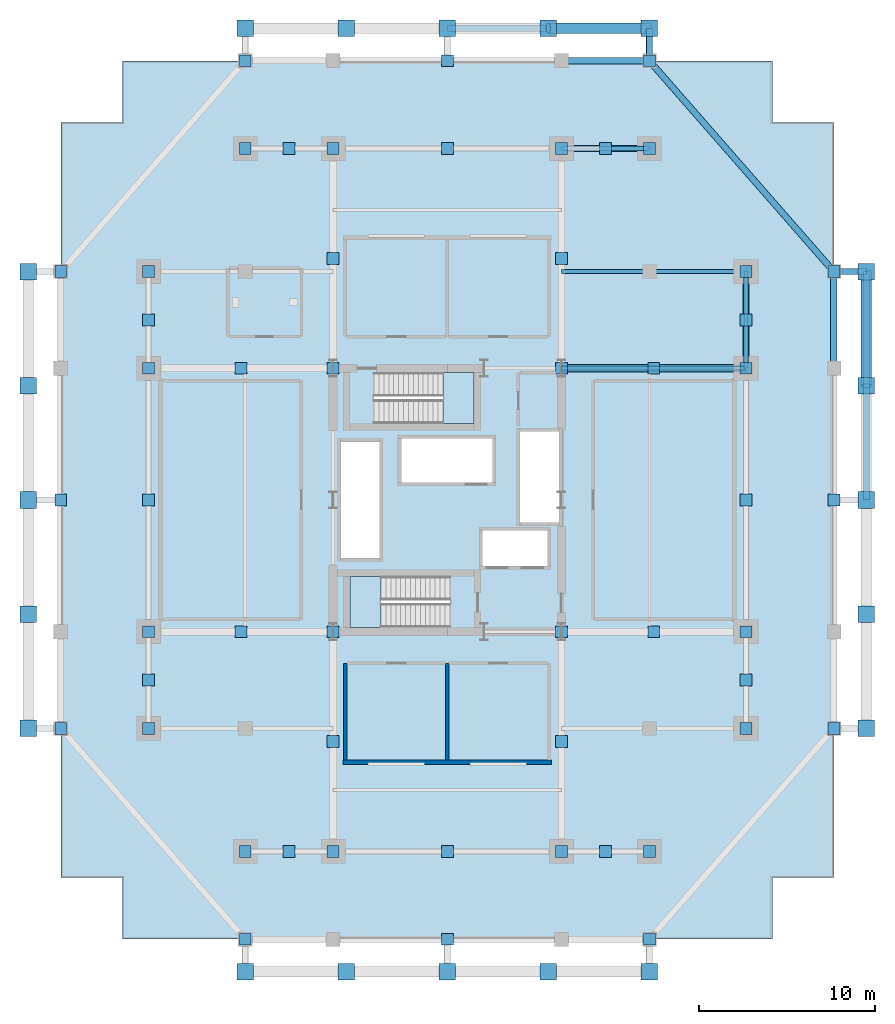
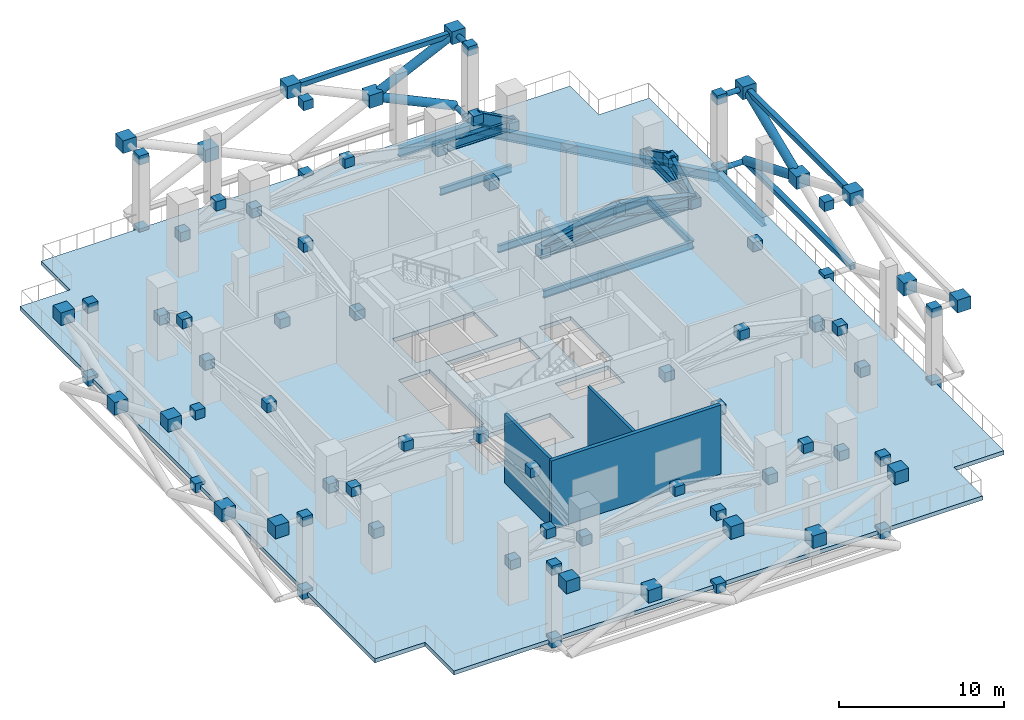
# One storey, part 3 of 9: 84 plates, 19 members, 8 beams, 3 slabs, 3 walls, 2 elements without a shape of their own.
"""IFC4 building model written with IfcOpenShell, lengths in metres."""

from ifc_helpers import new_model, si_unit, direction, frame, frame_2d, origin, origin_2d, place, context, subcontext, project, spatial, polyline, rectangle, hollow_rectangle, hollow_circle, i_section, outline, extrude, material, layer, layer_set, material_profile, profile_set, type_object, element, aggregate, save


model = new_model("IFC4")

# Units and contexts
model_context = context("Model", 3, precision=1e-05, world=origin(), true_north=direction((0.0, 1.0)))
body_context = subcontext(model_context, "Body", "Model", "MODEL_VIEW")
ifc_project = project(units=[si_unit("LENGTHUNIT", "METRE"), si_unit("AREAUNIT", "SQUARE_METRE"), si_unit("VOLUMEUNIT", "CUBIC_METRE"), si_unit("PLANEANGLEUNIT", "RADIAN"), si_unit("MASSUNIT", "GRAM", prefix="KILO")], contexts=[model_context])

# Site, building, storey
site_placement = place(None, origin())
site = spatial("IfcSite", under=ifc_project, at=site_placement, CompositionType="ELEMENT")
building_placement = place(site_placement, origin())
building = spatial("IfcBuilding", under=site, at=building_placement, Name="Barlavira Tower and Art Museum", CompositionType="ELEMENT")
storey_placement = place(building_placement, frame((0.0, 0.0, 93.60009765625)))
storey = spatial("IfcBuildingStorey", under=building, at=storey_placement, Name="L23", CompositionType="ELEMENT", Elevation=93.60009765625)

# Members
ifc_material_1 = material(Name="Steel S355", Category="steel")
ifc_material_profile_1 = material_profile(ifc_material_1, i_section(OverallWidth=0.35595703125, OverallDepth=0.695068359375, WebThickness=0.014892578125, FlangeThickness=0.023681640625, at=origin_2d()), Name="W690x192.0")
ifc_profile_set_1 = profile_set([ifc_material_profile_1], Name="Steel S355")
member_type_1 = type_object("IfcMemberType", Name="Belt Truss Chord Member W690x192 Steel S355", PredefinedType="CHORD", material=ifc_profile_set_1)
member_1_placement = place(storey_placement, frame((6.5, 20.0, 2.64990234375), z_axis=(1.0, 0.0, 0.0), x_axis=(0.0, 1.0, 0.0)))
element("IfcMember", 1, at=member_1_placement, inside=storey, type_object=member_type_1, Name="L23 Belt Truss Bottom Chord BN3", PredefinedType="CHORD", context=body_context, shape_type="SweptSolid", body=[
    extrude(i_section(OverallWidth=0.35595703125, OverallDepth=0.695068359375, WebThickness=0.014892578125, FlangeThickness=0.023681640625, at=origin_2d()), origin(), (0.0, 0.0, 1.0), 5.0),
])
member_2_placement = place(storey_placement, frame((17.0, 7.5, 2.64990234375), z_axis=(0.0, 1.0, 0.0), x_axis=(-1.0, 0.0, 0.0)))
element("IfcMember", 2, at=member_2_placement, inside=storey, type_object=member_type_1, Name="L23 Belt Truss Bottom Chord BE3", PredefinedType="CHORD", context=body_context, shape_type="SweptSolid", body=[
    extrude(i_section(OverallWidth=0.35595703125, OverallDepth=0.695068359375, WebThickness=0.014892578125, FlangeThickness=0.023681640625, at=origin_2d()), origin(), (0.0, 0.0, 1.0), 5.5),
])
ifc_material_profile_2 = material_profile(ifc_material_1, i_section(OverallWidth=0.2939453125, OverallDepth=0.85107421875, WebThickness=0.017333984375, FlangeThickness=0.0283203125, at=origin_2d()), Name="W840x251.0")
ifc_profile_set_2 = profile_set([ifc_material_profile_2], Name="Steel S355")
member_type_2 = type_object("IfcMemberType", Name="Belt Truss Diagonal Brace W840x251 Steel S355", PredefinedType="BRACE", material=ifc_profile_set_2)
member_3_placement = place(storey_placement, frame((9.0, 20.0, 4.0498046875), z_axis=(0.872520545396, 0.0, -0.488577422588), x_axis=(0.0, 1.0, 0.0)))
element("IfcMember", 3, at=member_3_placement, inside=storey, type_object=member_type_2, Name="L23 Belt Truss Diagonal BN3-2", PredefinedType="BRACE", context=body_context, shape_type="SweptSolid", body=[
    extrude(i_section(OverallWidth=0.2939453125, OverallDepth=0.85107421875, WebThickness=0.017333984375, FlangeThickness=0.0283203125, at=origin_2d()), origin(), (0.0, 0.0, 1.0), 2.865234375),
])
for number, where, z_axis, x_axis, name in (
    (4, (17.0, 7.5, 2.64990234375), (0.0, 0.891175910254, 0.453657907439), (-1.0, 0.0, 0.0), "L23 Belt Truss Diagonal BE3-1"),
    (5, (17.0, 10.25, 4.0498046875), (0.0, 0.891175910254, -0.453657907439), (-1.0, 0.0, 0.0), "L23 Belt Truss Diagonal BE3-2"),
):
    element("IfcMember", number, at=place(storey_placement, frame(where, z_axis=z_axis, x_axis=x_axis)), inside=storey, type_object=member_type_2, Name=name, PredefinedType="BRACE", context=body_context, shape_type="SweptSolid", body=[
        extrude(i_section(OverallWidth=0.2939453125, OverallDepth=0.85107421875, WebThickness=0.017333984375, FlangeThickness=0.0283203125, at=origin_2d()), origin(), (0.0, 0.0, 1.0), 3.085693359375),
    ])
ifc_material_profile_3 = material_profile(ifc_material_1, i_section(OverallWidth=0.382080078125, OverallDepth=0.785888671875, WebThickness=0.02001953125, FlangeThickness=0.032958984375, at=origin_2d()), Name="W760x314.0")
ifc_profile_set_3 = profile_set([ifc_material_profile_3], Name="Steel S355")
member_type_3 = type_object("IfcMemberType", Name="Outrigger Truss Chord Member W760x314 Steel S355", PredefinedType="CHORD", material=ifc_profile_set_3)
member_4_placement = place(storey_placement, frame((6.5, 7.5, 2.64990234375), z_axis=(1.0, 0.0, 0.0), x_axis=(0.0, 1.0, 0.0)))
element("IfcMember", 6, at=member_4_placement, inside=storey, type_object=member_type_3, Name="L23 Outrigger Bottom Chord EN", PredefinedType="CHORD", context=body_context, shape_type="SweptSolid", body=[
    extrude(i_section(OverallWidth=0.382080078125, OverallDepth=0.785888671875, WebThickness=0.02001953125, FlangeThickness=0.032958984375, at=origin_2d()), origin(), (0.0, 0.0, 1.0), 10.5),
])
ifc_material_profile_4 = material_profile(ifc_material_1, i_section(OverallWidth=0.419921875, OverallDepth=0.9599609375, WebThickness=0.02197265625, FlangeThickness=0.033935546875, at=origin_2d()), Name="W920x387.0")
ifc_profile_set_4 = profile_set([ifc_material_profile_4], Name="Steel S355")
member_type_4 = type_object("IfcMemberType", Name="Outrigger Truss Diagonal Brace W920x387 Steel S355", PredefinedType="BRACE", material=ifc_profile_set_4)
for number, where, z_axis, x_axis, name in (
    (7, (6.5, 7.5, 2.64990234375), (0.972806214685, 0.0, 0.231620527306), (0.0, 1.0, 0.0), "L23 Outrigger Diagonal Brace EN-1"),
    (8, (11.75, 7.5, 3.89990234375), (0.972806214685, 0.0, -0.231620527306), (0.0, 1.0, 0.0), "L23 Outrigger Diagonal Brace EN-2"),
):
    element("IfcMember", number, at=place(storey_placement, frame(where, z_axis=z_axis, x_axis=x_axis)), inside=storey, type_object=member_type_4, Name=name, PredefinedType="BRACE", context=body_context, shape_type="SweptSolid", body=[
        extrude(i_section(OverallWidth=0.419921875, OverallDepth=0.9599609375, WebThickness=0.02197265625, FlangeThickness=0.033935546875, at=origin_2d()), origin(), (0.0, 0.0, 1.0), 5.396728515625),
    ])
ifc_material_profile_5 = material_profile(ifc_material_1, hollow_circle(Radius=0.304931640625, WallThickness=0.028076171875, at=origin_2d()), Name="CHS 610.0x28.0")
ifc_profile_set_5 = profile_set([ifc_material_profile_5], Name="Steel S355")
member_type_5 = type_object("IfcMemberType", Name="Pale-Metal Exoskeleton Diagrid Tube CHS 610x28 Steel S355", PredefinedType="BRACE", material=ifc_profile_set_5)
for number, where, z_axis, x_axis, name in (
    (9, (11.5, 26.85009765625, -0.1201171875), (-0.905178105095, 0.0, 0.425032467062), (0.0, -1.0, 0.0), "L23 Exoskeleton Diagrid Tube N"),
    (10, (5.75, 26.85009765625, 2.579833984375), (0.905178105095, 0.0, 0.425032467062), (0.0, 1.0, 0.0), "L23 Exoskeleton Diagrid Tube N"),
):
    element("IfcMember", number, at=place(storey_placement, frame(where, z_axis=z_axis, x_axis=x_axis)), inside=storey, type_object=member_type_5, Name=name, PredefinedType="BRACE", context=body_context, shape_type="SweptSolid", body=[
        extrude(hollow_circle(Radius=0.304931640625, WallThickness=0.028076171875, at=origin_2d()), origin(), (0.0, 0.0, 1.0), 6.352294921875),
    ])
for number, where, z_axis, x_axis, name in (
    (11, (23.85009765625, 13.0, -0.1201171875), (0.0, -0.923499173836, 0.383600411788), (1.0, 0.0, 0.0), "L23 Exoskeleton Diagrid Tube E"),
    (12, (23.85009765625, 6.5, 2.579833984375), (0.0, 0.923499173836, 0.383600411788), (-1.0, 0.0, 0.0), "L23 Exoskeleton Diagrid Tube E"),
):
    element("IfcMember", number, at=place(storey_placement, frame(where, z_axis=z_axis, x_axis=x_axis)), inside=storey, type_object=member_type_5, Name=name, PredefinedType="BRACE", context=body_context, shape_type="SweptSolid", body=[
        extrude(hollow_circle(Radius=0.304931640625, WallThickness=0.028076171875, at=origin_2d()), origin(), (0.0, 0.0, 1.0), 7.038330078125),
    ])
ifc_material_profile_6 = material_profile(ifc_material_1, hollow_rectangle(XDim=0.35009765625, YDim=0.35009765625, WallThickness=0.02001953125, at=origin_2d()), Name="SHS 350x350x20.0")
ifc_profile_set_6 = profile_set([ifc_material_profile_6], Name="Steel S355")
member_type_6 = type_object("IfcMemberType", Name="Pale-Metal Exoskeleton Ring Strut SHS 350x350x20 Steel S355", PredefinedType="STRUT", material=ifc_profile_set_6)
member_5_placement = place(storey_placement, frame((0.0, 26.85009765625, 5.27978515625), z_axis=(1.0, 0.0, 0.0), x_axis=(0.0, 1.0, 0.0)))
element("IfcMember", 13, at=member_5_placement, inside=storey, type_object=member_type_6, Name="L23 Exoskeleton Top Ring Strut N", PredefinedType="STRUT", context=body_context, shape_type="SweptSolid", body=[
    extrude(hollow_rectangle(XDim=0.35009765625, YDim=0.35009765625, WallThickness=0.02001953125, at=origin_2d()), origin(), (0.0, 0.0, 1.0), 11.5),
])
for number, where, z_axis, x_axis, name in (
    (14, (23.85009765625, 0.0, -0.1201171875), (0.0, 1.0, 0.0), (-1.0, 0.0, 0.0), "L23 Exoskeleton Ring Strut E"),
    (15, (23.85009765625, 0.0, 5.27978515625), (0.0, 1.0, 0.0), (-1.0, 0.0, 0.0), "L23 Exoskeleton Top Ring Strut E"),
):
    element("IfcMember", number, at=place(storey_placement, frame(where, z_axis=z_axis, x_axis=x_axis)), inside=storey, type_object=member_type_6, Name=name, PredefinedType="STRUT", context=body_context, shape_type="SweptSolid", body=[
        extrude(hollow_rectangle(XDim=0.35009765625, YDim=0.35009765625, WallThickness=0.02001953125, at=origin_2d()), origin(), (0.0, 0.0, 1.0), 13.0),
    ])
ifc_material_profile_7 = material_profile(ifc_material_1, hollow_circle(Radius=0.177734375, WallThickness=0.01611328125, at=origin_2d()), Name="CHS 355.6x16.0")
ifc_profile_set_7 = profile_set([ifc_material_profile_7], Name="Steel S355")
member_type_7 = type_object("IfcMemberType", Name="Pale-Metal Exoskeleton Tie Strut CHS 356x16 Steel S355", PredefinedType="STRUT", material=ifc_profile_set_7)
for number, where, z_axis, x_axis, name in (
    (16, (11.5, 26.85009765625, -0.1201171875), (0.0, -1.0, 0.0), (1.0, 0.0, 0.0), "L23 Exoskeleton Tie Strut N3"),
    (17, (11.5, 26.85009765625, 5.27978515625), (0.0, -1.0, 0.0), (1.0, 0.0, 0.0), "L23 Exoskeleton Top Tie Strut N3"),
    (18, (23.85009765625, 13.0, -0.1201171875), (-1.0, 0.0, 0.0), (0.0, -1.0, 0.0), "L23 Exoskeleton Tie Strut E3"),
    (19, (23.85009765625, 13.0, 5.27978515625), (-1.0, 0.0, 0.0), (0.0, -1.0, 0.0), "L23 Exoskeleton Top Tie Strut E3"),
):
    element("IfcMember", number, at=place(storey_placement, frame(where, z_axis=z_axis, x_axis=x_axis)), inside=storey, type_object=member_type_7, Name=name, PredefinedType="STRUT", context=body_context, shape_type="SweptSolid", body=[
        extrude(hollow_circle(Radius=0.177734375, WallThickness=0.01611328125, at=origin_2d()), origin(), (0.0, 0.0, 1.0), 1.85009765625),
    ])

# Beams
ifc_material_profile_8 = material_profile(ifc_material_1, i_section(OverallWidth=0.35595703125, OverallDepth=0.695068359375, WebThickness=0.014892578125, FlangeThickness=0.023681640625, at=origin_2d()), Name="W690x192.0")
ifc_profile_set_8 = profile_set([ifc_material_profile_8], Name="Steel S355")
beam_type_1 = type_object("IfcBeamType", Name="Wind Floor Perimeter Edge Spandrel W690x192 Steel S355", PredefinedType="SPANDREL", material=ifc_profile_set_8)
beam_1_placement = place(storey_placement, frame((22.0, 7.5, -0.647705078125), z_axis=(0.0, 1.0, 0.0), x_axis=(-1.0, 0.0, 0.0)))
element("IfcBeam", 20, at=beam_1_placement, inside=storey, type_object=beam_type_1, Name="L23 Spandrel 7", PredefinedType="SPANDREL", context=body_context, shape_type="SweptSolid", body=[
    extrude(i_section(OverallWidth=0.35595703125, OverallDepth=0.695068359375, WebThickness=0.014892578125, FlangeThickness=0.023681640625, at=origin_2d()), origin(), (0.0, 0.0, 1.0), 5.5),
])
beam_2_placement = place(storey_placement, frame((22.0, 13.0, -0.647705078125), z_axis=(-0.658504607869, 0.752576694707, 0.0), x_axis=(-0.752576694707, -0.658504607869, 0.0)))
element("IfcBeam", 21, at=beam_2_placement, inside=storey, type_object=beam_type_1, Name="L23 Spandrel 8", PredefinedType="SPANDREL", context=body_context, shape_type="SweptSolid", body=[
    extrude(i_section(OverallWidth=0.35595703125, OverallDepth=0.695068359375, WebThickness=0.014892578125, FlangeThickness=0.023681640625, at=origin_2d()), origin(), (0.0, 0.0, 1.0), 15.9453125),
])
beam_3_placement = place(storey_placement, frame((6.5, 25.0, -0.647705078125), z_axis=(1.0, 0.0, 0.0), x_axis=(0.0, 1.0, 0.0)))
element("IfcBeam", 22, at=beam_3_placement, inside=storey, type_object=beam_type_1, Name="L23 Spandrel 9", PredefinedType="SPANDREL", context=body_context, shape_type="SweptSolid", body=[
    extrude(i_section(OverallWidth=0.35595703125, OverallDepth=0.695068359375, WebThickness=0.014892578125, FlangeThickness=0.023681640625, at=origin_2d()), origin(), (0.0, 0.0, 1.0), 5.0),
])
ifc_material_profile_9 = material_profile(ifc_material_1, i_section(OverallWidth=0.214111328125, OverallDepth=0.549072265625, WebThickness=0.0146484375, FlangeThickness=0.023681640625, at=origin_2d()), Name="W530x138.0")
ifc_profile_set_9 = profile_set([ifc_material_profile_9], Name="Steel S355")
beam_type_2 = type_object("IfcBeamType", Name="Zone 1 Primary Floor Girder W530x138 Steel S355", PredefinedType="BEAM", material=ifc_profile_set_9)
beam_4_placement = place(storey_placement, frame((6.5, 20.0, -0.57470703125), z_axis=(1.0, 0.0, 0.0), x_axis=(0.0, 1.0, 0.0)))
element("IfcBeam", 23, at=beam_4_placement, inside=storey, type_object=beam_type_2, Name="L23 Girder M-N3", PredefinedType="BEAM", context=body_context, shape_type="SweptSolid", body=[
    extrude(i_section(OverallWidth=0.214111328125, OverallDepth=0.549072265625, WebThickness=0.0146484375, FlangeThickness=0.023681640625, at=origin_2d()), origin(), (0.0, 0.0, 1.0), 5.0),
])
beam_5_placement = place(storey_placement, frame((17.0, 7.5, -0.57470703125), z_axis=(0.0, 1.0, 0.0), x_axis=(-1.0, 0.0, 0.0)))
element("IfcBeam", 24, at=beam_5_placement, inside=storey, type_object=beam_type_2, Name="L23 Girder M-E3", PredefinedType="BEAM", context=body_context, shape_type="SweptSolid", body=[
    extrude(i_section(OverallWidth=0.214111328125, OverallDepth=0.549072265625, WebThickness=0.0146484375, FlangeThickness=0.023681640625, at=origin_2d()), origin(), (0.0, 0.0, 1.0), 5.5),
])
beam_6_placement = place(storey_placement, frame((6.5, 7.5, -0.57470703125), z_axis=(1.0, 0.0, 0.0), x_axis=(0.0, 1.0, 0.0)))
element("IfcBeam", 25, at=beam_6_placement, inside=storey, type_object=beam_type_2, Name="L23 Girder R-E2", PredefinedType="BEAM", context=body_context, shape_type="SweptSolid", body=[
    extrude(i_section(OverallWidth=0.214111328125, OverallDepth=0.549072265625, WebThickness=0.0146484375, FlangeThickness=0.023681640625, at=origin_2d()), origin(), (0.0, 0.0, 1.0), 10.5),
])
beam_7_placement = place(storey_placement, frame((6.5, 13.0, -0.57470703125), z_axis=(1.0, 0.0, 0.0), x_axis=(0.0, 1.0, 0.0)))
element("IfcBeam", 26, at=beam_7_placement, inside=storey, type_object=beam_type_2, Name="L23 Girder I-N3", PredefinedType="BEAM", context=body_context, shape_type="SweptSolid", body=[
    extrude(i_section(OverallWidth=0.214111328125, OverallDepth=0.549072265625, WebThickness=0.0146484375, FlangeThickness=0.023681640625, at=origin_2d()), origin(), (0.0, 0.0, 1.0), 5.0),
])
beam_8_placement = place(storey_placement, frame((11.5, 13.0, -0.57470703125), z_axis=(1.0, 0.0, 0.0), x_axis=(0.0, 1.0, 0.0)))
element("IfcBeam", 27, at=beam_8_placement, inside=storey, type_object=beam_type_2, Name="L23 Girder I-N4", PredefinedType="BEAM", context=body_context, shape_type="SweptSolid", body=[
    extrude(i_section(OverallWidth=0.214111328125, OverallDepth=0.549072265625, WebThickness=0.0146484375, FlangeThickness=0.023681640625, at=origin_2d()), origin(), (0.0, 0.0, 1.0), 5.5),
])

# Plates
ifc_layer_1 = layer(ifc_material_1, 0.93994140625, Name="Steel S355")
ifc_layer_set_1 = layer_set([ifc_layer_1], Name="Steel S355")
plate_type_1 = type_object("IfcPlateType", Name="Exoskeleton Solid Steel Node Cap Plate Assembly Type 1 Steel S355", PredefinedType="USERDEFINED", material=ifc_layer_set_1)
for number, where, z_axis, x_axis, name in (
    (28, (-11.5, -26.85009765625, 4.809814453125), (0.0, 0.0, 1.0), (1.0, 0.0, 0.0), "Exoskeleton Node S ND-L23-0205"),
    (29, (0.0, -26.85009765625, 4.809814453125), (0.0, 0.0, 1.0), (1.0, 0.0, 0.0), "Exoskeleton Node S ND-L23-0206"),
    (30, (11.5, -26.85009765625, 4.809814453125), (0.0, 0.0, 1.0), (1.0, 0.0, 0.0), "Exoskeleton Node S ND-L23-0207"),
    (31, (-5.75, -26.85009765625, 2.10986328125), (0.0, 0.0, 1.0), (1.0, 0.0, 0.0), "Exoskeleton Diamond Node S1 ND-L23-0208"),
    (32, (5.75, -26.85009765625, 2.10986328125), (0.0, 0.0, 1.0), (1.0, 0.0, 0.0), "Exoskeleton Diamond Node S2 ND-L23-0209"),
    (33, (-11.5, 26.85009765625, 4.809814453125), (0.0, 0.0, 1.0), (1.0, 0.0, 0.0), "Exoskeleton Node N ND-L23-0216"),
    (34, (0.0, 26.85009765625, 4.809814453125), (0.0, 0.0, 1.0), (1.0, 0.0, 0.0), "Exoskeleton Node N ND-L23-0217"),
    (35, (11.5, 26.85009765625, 4.809814453125), (0.0, 0.0, 1.0), (1.0, 0.0, 0.0), "Exoskeleton Node N ND-L23-0218"),
    (36, (-5.75, 26.85009765625, 2.10986328125), (0.0, 0.0, 1.0), (1.0, 0.0, 0.0), "Exoskeleton Diamond Node N1 ND-L23-0219"),
    (37, (5.75, 26.85009765625, 2.10986328125), (0.0, 0.0, 1.0), (1.0, 0.0, 0.0), "Exoskeleton Diamond Node N2 ND-L23-0220"),
    (38, (-23.85009765625, -13.0, 4.809814453125), (0.0, 0.0, 1.0), (1.0, 0.0, 0.0), "Exoskeleton Node W ND-L23-0227"),
    (39, (-23.85009765625, 0.0, 4.809814453125), (0.0, 0.0, 1.0), (1.0, 0.0, 0.0), "Exoskeleton Node W ND-L23-0228"),
    (40, (-23.85009765625, 13.0, 4.809814453125), (0.0, 0.0, 1.0), (1.0, 0.0, 0.0), "Exoskeleton Node W ND-L23-0229"),
    (41, (-23.85009765625, -6.5, 2.10986328125), (0.0, 0.0, 1.0), (1.0, 0.0, 0.0), "Exoskeleton Diamond Node W1 ND-L23-0230"),
    (42, (-23.85009765625, 6.5, 2.10986328125), (0.0, 0.0, 1.0), (1.0, 0.0, 0.0), "Exoskeleton Diamond Node W2 ND-L23-0231"),
    (43, (23.85009765625, -13.0, 4.809814453125), (0.0, 0.0, 1.0), (1.0, 0.0, 0.0), "Exoskeleton Node E ND-L23-0238"),
    (44, (23.85009765625, 0.0, 4.809814453125), (0.0, 0.0, 1.0), (1.0, 0.0, 0.0), "Exoskeleton Node E ND-L23-0239"),
    (45, (23.85009765625, 13.0, 4.809814453125), (0.0, 0.0, 1.0), (1.0, 0.0, 0.0), "Exoskeleton Node E ND-L23-0240"),
    (46, (23.85009765625, -6.5, 2.10986328125), (0.0, 0.0, 1.0), (1.0, 0.0, 0.0), "Exoskeleton Diamond Node E1 ND-L23-0241"),
    (47, (23.85009765625, 6.5, 2.10986328125), (0.0, 0.0, 1.0), (1.0, 0.0, 0.0), "Exoskeleton Diamond Node E2 ND-L23-0242"),
):
    element("IfcPlate", number, at=place(storey_placement, frame(where, z_axis=z_axis, x_axis=x_axis)), inside=storey, type_object=plate_type_1, Name=name, ObjectType="FLANGE_PLATE", PredefinedType="USERDEFINED", context=body_context, shape_type="SweptSolid", body=[
        extrude(rectangle(XDim=0.93994140625, YDim=0.93994140625, at=origin_2d()), origin(), (0.0, 0.0, 1.0), 0.93994140625),
    ])
ifc_layer_2 = layer(ifc_material_1, 0.679931640625, Name="Steel S355")
ifc_layer_set_2 = layer_set([ifc_layer_2], Name="Steel S355")
plate_type_2 = type_object("IfcPlateType", Name="Exoskeleton Tie-Back Solid Cap Plate Assembly Type 5 Steel S355", PredefinedType="USERDEFINED", material=ifc_layer_set_2)
for number, where, z_axis, x_axis, name in (
    (48, (-6.5, -7.5, 2.31005859375), (0.0, 0.0, 1.0), (1.0, 0.0, 0.0), "L23 Outrigger WS Gusset Plate 1"),
    (49, (-17.0, -7.5, 2.31005859375), (0.0, 0.0, 1.0), (1.0, 0.0, 0.0), "L23 Outrigger WS Gusset Plate 2"),
    (50, (-11.75, -7.5, 3.56005859375), (0.0, 0.0, 1.0), (1.0, 0.0, 0.0), "L23 Outrigger WS Gusset Plate 3"),
    (51, (-6.5, 7.5, 2.31005859375), (0.0, 0.0, 1.0), (1.0, 0.0, 0.0), "L23 Outrigger WN Gusset Plate 4"),
    (52, (-17.0, 7.5, 2.31005859375), (0.0, 0.0, 1.0), (1.0, 0.0, 0.0), "L23 Outrigger WN Gusset Plate 5"),
    (53, (-11.75, 7.5, 3.56005859375), (0.0, 0.0, 1.0), (1.0, 0.0, 0.0), "L23 Outrigger WN Gusset Plate 6"),
    (54, (6.5, -7.5, 2.31005859375), (0.0, 0.0, 1.0), (1.0, 0.0, 0.0), "L23 Outrigger ES Gusset Plate 7"),
    (55, (17.0, -7.5, 2.31005859375), (0.0, 0.0, 1.0), (1.0, 0.0, 0.0), "L23 Outrigger ES Gusset Plate 8"),
    (56, (11.75, -7.5, 3.56005859375), (0.0, 0.0, 1.0), (1.0, 0.0, 0.0), "L23 Outrigger ES Gusset Plate 9"),
    (57, (6.5, 7.5, 2.31005859375), (0.0, 0.0, 1.0), (1.0, 0.0, 0.0), "L23 Outrigger EN Gusset Plate 10"),
    (58, (17.0, 7.5, 2.31005859375), (0.0, 0.0, 1.0), (1.0, 0.0, 0.0), "L23 Outrigger EN Gusset Plate 11"),
    (59, (11.75, 7.5, 3.56005859375), (0.0, 0.0, 1.0), (1.0, 0.0, 0.0), "L23 Outrigger EN Gusset Plate 12"),
    (60, (-6.5, -20.0, 2.31005859375), (0.0, 0.0, 1.0), (1.0, 0.0, 0.0), "L23 Outrigger SW Gusset Plate 13"),
    (61, (-6.5, -13.75, 3.56005859375), (0.0, 0.0, 1.0), (1.0, 0.0, 0.0), "L23 Outrigger SW Gusset Plate 14"),
    (62, (6.5, -20.0, 2.31005859375), (0.0, 0.0, 1.0), (1.0, 0.0, 0.0), "L23 Outrigger SE Gusset Plate 15"),
    (63, (6.5, -13.75, 3.56005859375), (0.0, 0.0, 1.0), (1.0, 0.0, 0.0), "L23 Outrigger SE Gusset Plate 16"),
    (64, (-6.5, 20.0, 2.31005859375), (0.0, 0.0, 1.0), (1.0, 0.0, 0.0), "L23 Outrigger NW Gusset Plate 17"),
    (65, (-6.5, 13.75, 3.56005859375), (0.0, 0.0, 1.0), (1.0, 0.0, 0.0), "L23 Outrigger NW Gusset Plate 18"),
    (66, (6.5, 20.0, 2.31005859375), (0.0, 0.0, 1.0), (1.0, 0.0, 0.0), "L23 Outrigger NE Gusset Plate 19"),
    (67, (6.5, 13.75, 3.56005859375), (0.0, 0.0, 1.0), (1.0, 0.0, 0.0), "L23 Outrigger NE Gusset Plate 20"),
    (68, (-11.5, -20.0, 2.31005859375), (0.0, 0.0, 1.0), (1.0, 0.0, 0.0), "L23 Belt Truss BS1 Gusset Plate 41"),
    (69, (-9.0, -20.0, 3.7099609375), (0.0, 0.0, 1.0), (1.0, 0.0, 0.0), "L23 Belt Truss BS1 Gusset Plate 42"),
    (70, (0.0, -20.0, 3.7099609375), (0.0, 0.0, 1.0), (1.0, 0.0, 0.0), "L23 Belt Truss BS2 Gusset Plate 43"),
    (71, (11.5, -20.0, 2.31005859375), (0.0, 0.0, 1.0), (1.0, 0.0, 0.0), "L23 Belt Truss BS3 Gusset Plate 44"),
    (72, (9.0, -20.0, 3.7099609375), (0.0, 0.0, 1.0), (1.0, 0.0, 0.0), "L23 Belt Truss BS3 Gusset Plate 45"),
    (73, (-11.5, 20.0, 2.31005859375), (0.0, 0.0, 1.0), (1.0, 0.0, 0.0), "L23 Belt Truss BN1 Gusset Plate 46"),
    (74, (-9.0, 20.0, 3.7099609375), (0.0, 0.0, 1.0), (1.0, 0.0, 0.0), "L23 Belt Truss BN1 Gusset Plate 47"),
    (75, (0.0, 20.0, 3.7099609375), (0.0, 0.0, 1.0), (1.0, 0.0, 0.0), "L23 Belt Truss BN2 Gusset Plate 48"),
    (76, (11.5, 20.0, 2.31005859375), (0.0, 0.0, 1.0), (1.0, 0.0, 0.0), "L23 Belt Truss BN3 Gusset Plate 49"),
    (77, (9.0, 20.0, 3.7099609375), (0.0, 0.0, 1.0), (1.0, 0.0, 0.0), "L23 Belt Truss BN3 Gusset Plate 50"),
    (78, (-17.0, -13.0, 2.31005859375), (0.0, 0.0, 1.0), (1.0, 0.0, 0.0), "L23 Belt Truss BW1 Gusset Plate 51"),
    (79, (-17.0, -10.25, 3.7099609375), (0.0, 0.0, 1.0), (1.0, 0.0, 0.0), "L23 Belt Truss BW1 Gusset Plate 52"),
    (80, (-17.0, 0.0, 3.7099609375), (0.0, 0.0, 1.0), (1.0, 0.0, 0.0), "L23 Belt Truss BW2 Gusset Plate 53"),
    (81, (-17.0, 13.0, 2.31005859375), (0.0, 0.0, 1.0), (1.0, 0.0, 0.0), "L23 Belt Truss BW3 Gusset Plate 54"),
    (82, (-17.0, 10.25, 3.7099609375), (0.0, 0.0, 1.0), (1.0, 0.0, 0.0), "L23 Belt Truss BW3 Gusset Plate 55"),
    (83, (17.0, -13.0, 2.31005859375), (0.0, 0.0, 1.0), (1.0, 0.0, 0.0), "L23 Belt Truss BE1 Gusset Plate 56"),
    (84, (17.0, -10.25, 3.7099609375), (0.0, 0.0, 1.0), (1.0, 0.0, 0.0), "L23 Belt Truss BE1 Gusset Plate 57"),
    (85, (17.0, 0.0, 3.7099609375), (0.0, 0.0, 1.0), (1.0, 0.0, 0.0), "L23 Belt Truss BE2 Gusset Plate 58"),
    (86, (17.0, 13.0, 2.31005859375), (0.0, 0.0, 1.0), (1.0, 0.0, 0.0), "L23 Belt Truss BE3 Gusset Plate 59"),
    (87, (17.0, 10.25, 3.7099609375), (0.0, 0.0, 1.0), (1.0, 0.0, 0.0), "L23 Belt Truss BE3 Gusset Plate 60"),
    (88, (-11.5, -25.0, -0.4599609375), (0.0, 0.0, 1.0), (1.0, 0.0, 0.0), "Slab Edge Tie Cap Plate S1 ND-L23-0210"),
    (89, (0.0, -25.0, -0.4599609375), (0.0, 0.0, 1.0), (1.0, 0.0, 0.0), "Slab Edge Tie Cap Plate S2 ND-L23-0211"),
    (90, (11.5, -25.0, -0.4599609375), (0.0, 0.0, 1.0), (1.0, 0.0, 0.0), "Slab Edge Tie Cap Plate S3 ND-L23-0212"),
    (91, (-11.5, -25.0, 4.93994140625), (0.0, 0.0, 1.0), (1.0, 0.0, 0.0), "Top Slab Tie Cap Plate S1 ND-L23-0213"),
    (92, (0.0, -25.0, 4.93994140625), (0.0, 0.0, 1.0), (1.0, 0.0, 0.0), "Top Slab Tie Cap Plate S2 ND-L23-0214"),
    (93, (11.5, -25.0, 4.93994140625), (0.0, 0.0, 1.0), (1.0, 0.0, 0.0), "Top Slab Tie Cap Plate S3 ND-L23-0215"),
    (94, (-11.5, 25.0, -0.4599609375), (0.0, 0.0, 1.0), (1.0, 0.0, 0.0), "Slab Edge Tie Cap Plate N1 ND-L23-0221"),
    (95, (0.0, 25.0, -0.4599609375), (0.0, 0.0, 1.0), (1.0, 0.0, 0.0), "Slab Edge Tie Cap Plate N2 ND-L23-0222"),
    (96, (11.5, 25.0, -0.4599609375), (0.0, 0.0, 1.0), (1.0, 0.0, 0.0), "Slab Edge Tie Cap Plate N3 ND-L23-0223"),
    (97, (-11.5, 25.0, 4.93994140625), (0.0, 0.0, 1.0), (1.0, 0.0, 0.0), "Top Slab Tie Cap Plate N1 ND-L23-0224"),
    (98, (0.0, 25.0, 4.93994140625), (0.0, 0.0, 1.0), (1.0, 0.0, 0.0), "Top Slab Tie Cap Plate N2 ND-L23-0225"),
    (99, (11.5, 25.0, 4.93994140625), (0.0, 0.0, 1.0), (1.0, 0.0, 0.0), "Top Slab Tie Cap Plate N3 ND-L23-0226"),
    (100, (-22.0, -13.0, -0.4599609375), (0.0, 0.0, 1.0), (1.0, 0.0, 0.0), "Slab Edge Tie Cap Plate W1 ND-L23-0232"),
    (101, (-22.0, 0.0, -0.4599609375), (0.0, 0.0, 1.0), (1.0, 0.0, 0.0), "Slab Edge Tie Cap Plate W2 ND-L23-0233"),
    (102, (-22.0, 13.0, -0.4599609375), (0.0, 0.0, 1.0), (1.0, 0.0, 0.0), "Slab Edge Tie Cap Plate W3 ND-L23-0234"),
    (103, (-22.0, -13.0, 4.93994140625), (0.0, 0.0, 1.0), (1.0, 0.0, 0.0), "Top Slab Tie Cap Plate W1 ND-L23-0235"),
    (104, (-22.0, 0.0, 4.93994140625), (0.0, 0.0, 1.0), (1.0, 0.0, 0.0), "Top Slab Tie Cap Plate W2 ND-L23-0236"),
    (105, (-22.0, 13.0, 4.93994140625), (0.0, 0.0, 1.0), (1.0, 0.0, 0.0), "Top Slab Tie Cap Plate W3 ND-L23-0237"),
    (106, (22.0, -13.0, -0.4599609375), (0.0, 0.0, 1.0), (1.0, 0.0, 0.0), "Slab Edge Tie Cap Plate E1 ND-L23-0243"),
    (107, (22.0, 0.0, -0.4599609375), (0.0, 0.0, 1.0), (1.0, 0.0, 0.0), "Slab Edge Tie Cap Plate E2 ND-L23-0244"),
    (108, (22.0, 13.0, -0.4599609375), (0.0, 0.0, 1.0), (1.0, 0.0, 0.0), "Slab Edge Tie Cap Plate E3 ND-L23-0245"),
    (109, (22.0, -13.0, 4.93994140625), (0.0, 0.0, 1.0), (1.0, 0.0, 0.0), "Top Slab Tie Cap Plate E1 ND-L23-0246"),
    (110, (22.0, 0.0, 4.93994140625), (0.0, 0.0, 1.0), (1.0, 0.0, 0.0), "Top Slab Tie Cap Plate E2 ND-L23-0247"),
    (111, (22.0, 13.0, 4.93994140625), (0.0, 0.0, 1.0), (1.0, 0.0, 0.0), "Top Slab Tie Cap Plate E3 ND-L23-0248"),
):
    element("IfcPlate", number, at=place(storey_placement, frame(where, z_axis=z_axis, x_axis=x_axis)), inside=storey, type_object=plate_type_2, Name=name, ObjectType="FLANGE_PLATE", PredefinedType="USERDEFINED", context=body_context, shape_type="SweptSolid", body=[
        extrude(rectangle(XDim=0.679931640625, YDim=0.679931640625, at=origin_2d()), origin(), (0.0, 0.0, 1.0), 0.679931640625),
    ])

# Slab
ifc_material_2 = material(Name="Concrete C55", Category="concrete")
ifc_layer_3 = layer(ifc_material_2, 0.300048828125, Name="Concrete C55")
ifc_layer_set_3 = layer_set([ifc_layer_3], Name="Concrete C55")
slab_type_1 = type_object("IfcSlabType", Name="Sky-Lobby and Wind-Refuge Heavy Slab 300 Concrete C55", PredefinedType="FLOOR", material=ifc_layer_set_3)
slab_1_placement = place(storey_placement, frame((0.0, 0.0, -0.300048828125)))
element("IfcSlab", 112, at=slab_1_placement, inside=storey, type_object=slab_type_1, Name="L23 Tower Floor Slab", PredefinedType="FLOOR", context=body_context, shape_type="SweptSolid", body=[
    extrude(outline(polyline([(-18.5, -25.0), (18.5, -25.0), (18.5, -21.5), (22.0, -21.5), (22.0, 21.5), (18.5, 21.5), (18.5, 25.0), (-18.5, 25.0), (-18.5, 21.5), (-22.0, 21.5), (-22.0, -21.5), (-18.5, -21.5), (-18.5, -25.0)]), holes=[polyline([(0.14990234375, -4.35009765625), (-5.550048828125, -4.35009765625), (-5.550048828125, -7.25), (0.14990234375, -7.25), (0.14990234375, -4.35009765625)]), polyline([(-4.169921875, 4.35009765625), (1.530029296875, 4.35009765625), (1.530029296875, 7.25), (-4.169921875, 7.25), (-4.169921875, 4.35009765625)]), polyline([(-6.050048828125, -3.31005859375), (-3.85009765625, -3.31005859375), (-3.85009765625, 3.31005859375), (-6.050048828125, 3.31005859375), (-6.050048828125, -3.31005859375)]), polyline([(4.14990234375, -1.2900390625), (6.35009765625, -1.2900390625), (6.35009765625, 3.889892578125), (4.14990234375, 3.889892578125), (4.14990234375, -1.2900390625)]), polyline([(-2.6201171875, 1.0), (2.56005859375, 1.0), (2.56005859375, 3.5), (-2.6201171875, 3.5), (-2.6201171875, 1.0)]), polyline([(2.0, -3.75), (5.699951171875, -3.75), (5.699951171875, -1.75), (2.0, -1.75), (2.0, -3.75)])]), origin(), (0.0, 0.0, 1.0), 0.300048828125),
])

# Stair, slab
ifc_material_3 = material(Name="Concrete C45", Category="concrete")
stair_type_1 = type_object("IfcStairType", Name="Tower North Dog-Leg Exit Stair Assembly Concrete C45", PredefinedType="TWO_QUARTER_TURN_STAIR", material=ifc_material_3)
stair_1_placement = place(storey_placement, origin())
stair_1 = element("IfcStair", 113, at=stair_1_placement, inside=storey, type_object=stair_type_1, Name="L23 Tower North Exit Stair ST-T2", PredefinedType="TWO_QUARTER_TURN_STAIR")
ifc_layer_4 = layer(ifc_material_3, 0.199951171875, Name="Concrete C45")
ifc_layer_set_4 = layer_set([ifc_layer_4], Name="Concrete C45")
slab_type_2 = type_object("IfcSlabType", Name="Tower North Dog-Leg Exit Stair Half-Landing Slab 200 Concrete C45", PredefinedType="LANDING", material=ifc_layer_set_4)
slab_2_placement = place(storey_placement, frame((0.0, 0.0, 2.5)))
slab_2 = element("IfcSlab", 114, at=slab_2_placement, type_object=slab_type_2, Name="ST-T2 landing 1", PredefinedType="LANDING", context=body_context, shape_type="SweptSolid", body=[
    extrude(outline(polyline([(-0.25, 4.35009765625), (1.530029296875, 4.35009765625), (1.530029296875, 7.25), (-0.25, 7.25), (-0.25, 4.35009765625)])), origin(), (0.0, 0.0, 1.0), 0.199951171875),
])
aggregate(stair_1, [slab_2])

stair_type_2 = type_object("IfcStairType", Name="Tower South Dog-Leg Exit Stair Assembly Concrete C45", PredefinedType="TWO_QUARTER_TURN_STAIR", material=ifc_material_3)
stair_2_placement = place(storey_placement, origin())
stair_2 = element("IfcStair", 115, at=stair_2_placement, inside=storey, type_object=stair_type_2, Name="L23 Tower South Exit Stair ST-T1", PredefinedType="TWO_QUARTER_TURN_STAIR")
ifc_layer_5 = layer(ifc_material_3, 0.199951171875, Name="Concrete C45")
ifc_layer_set_5 = layer_set([ifc_layer_5], Name="Concrete C45")
slab_type_3 = type_object("IfcSlabType", Name="Tower South Dog-Leg Exit Stair Half-Landing Slab 200 Concrete C45", PredefinedType="LANDING", material=ifc_layer_set_5)
slab_3_placement = place(storey_placement, frame((0.0, 0.0, 2.5)))
slab_3 = element("IfcSlab", 116, at=slab_3_placement, type_object=slab_type_3, Name="ST-T1 landing 1", PredefinedType="LANDING", context=body_context, shape_type="SweptSolid", body=[
    extrude(outline(polyline([(-3.77001953125, -4.35009765625), (-5.550048828125, -4.35009765625), (-5.550048828125, -7.25), (-3.77001953125, -7.25), (-3.77001953125, -4.35009765625)])), origin(), (0.0, 0.0, 1.0), 0.199951171875),
])
aggregate(stair_2, [slab_3])

# Walls
ifc_material_4 = material(Name="Precast concrete C40", Category="concrete")
ifc_layer_6 = layer(ifc_material_4, 0.260009765625, Name="Precast concrete C40")
ifc_layer_set_6 = layer_set([ifc_layer_6], Name="Precast concrete C40")
wall_type_1 = type_object("IfcWallType", Name="Crown Acoustic Plant Enclosure Wall 260 Precast Concrete C40", PredefinedType="SOLIDWALL", material=ifc_layer_set_6)
wall_placement = place(storey_placement, frame((-5.929931640625, -14.929931640625, 0.0), z_axis=(0.0, 0.0, 1.0), x_axis=(1.0, 0.0, 0.0)))
element("IfcWall", 117, at=wall_placement, inside=storey, type_object=wall_type_1, Name="L23 Wind-Floor Plant/Refuge Wall S", PredefinedType="SOLIDWALL", context=body_context, shape_type="SweptSolid", body=[
    extrude(rectangle(XDim=11.85986328125, YDim=0.260009765625, at=frame_2d((5.929931640625, 0.0))), origin(), (0.0, 0.0, 1.0), 5.099853515625),
])
ifc_material_5 = material(Name="Autoclaved aerated concrete masonry", Category="masonry")
ifc_layer_7 = layer(ifc_material_5, 0.199951171875, Name="Autoclaved aerated concrete masonry")
ifc_layer_set_7 = layer_set([ifc_layer_7], Name="Autoclaved aerated concrete masonry")
wall_type_2 = type_object("IfcWallType", Name="Fire Compartment and Shaft Wall 200", PredefinedType="SOLIDWALL", material=ifc_layer_set_7)
for number, where, z_axis, x_axis, name in (
    (118, (-5.800048828125, -14.794921875, 0.0), (0.0, 0.0, 1.0), (0.0, 1.0, 0.0), "L23 Partition Wall 4"),
    (119, (0.0, -14.794921875, 0.0), (0.0, 0.0, 1.0), (0.0, 1.0, 0.0), "L23 Partition Wall 6"),
):
    element("IfcWall", number, at=place(storey_placement, frame(where, z_axis=z_axis, x_axis=x_axis)), inside=storey, type_object=wall_type_2, Name=name, PredefinedType="SOLIDWALL", context=body_context, shape_type="SweptSolid", body=[
        extrude(rectangle(XDim=5.494873046875, YDim=0.199951171875, at=frame_2d((2.74755859375, 0.0))), origin(), (0.0, 0.0, 1.0), 5.099853515625),
    ])

save(model, "model.ifc")
